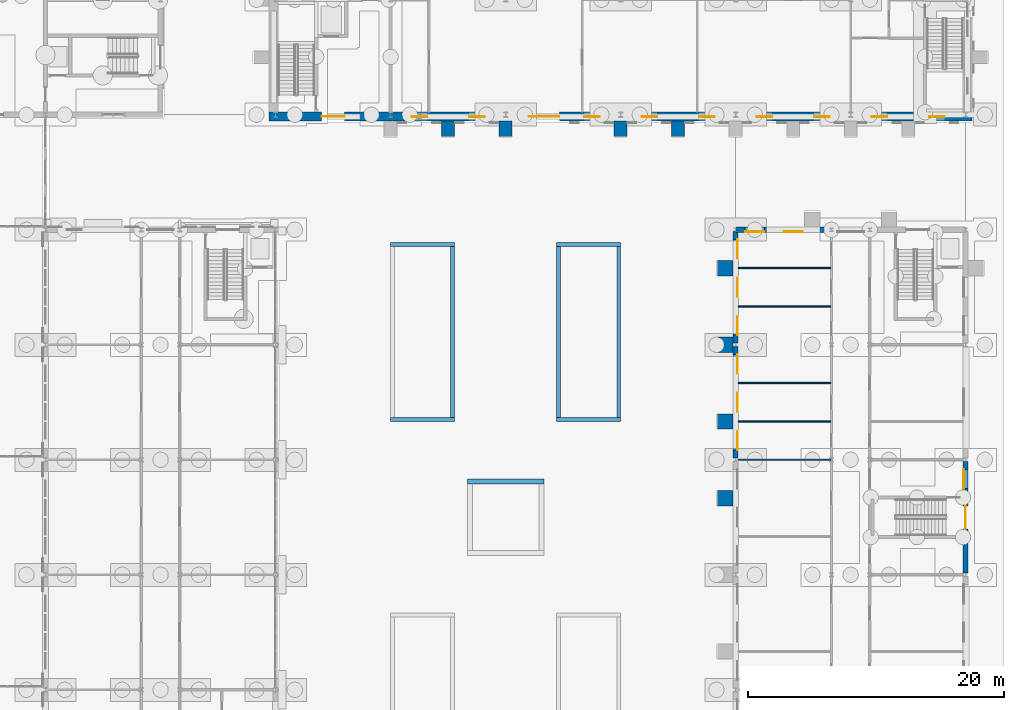
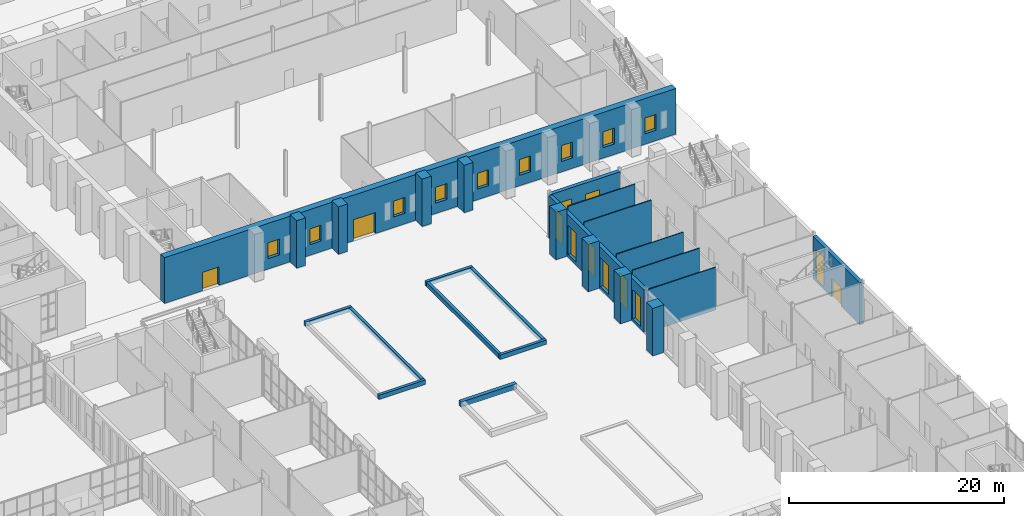
# One storey, part 104 of 168: 26 walls, 18 windows, 3 doors, 21 openings.
"""IFC4 building model written with IfcOpenShell, lengths in metres."""

from ifc_helpers import new_model, si_unit, direction, frame, frame_2d, origin, place, context, subcontext, project, spatial, rectangle, extrude, material, layer, layer_set, type_object, element, fill, save


model = new_model("IFC4")

# Units and contexts
model_context = context("Model", 3, precision=1e-05, world=origin(), true_north=direction((0.0, 1.0)))
body_context = subcontext(model_context, "Body", "Model", "MODEL_VIEW")
ifc_project = project(units=[si_unit("LENGTHUNIT", "METRE"), si_unit("AREAUNIT", "SQUARE_METRE"), si_unit("VOLUMEUNIT", "CUBIC_METRE"), si_unit("PLANEANGLEUNIT", "RADIAN"), si_unit("MASSUNIT", "GRAM", prefix="KILO")], contexts=[model_context])

# Site, building, storey
site_placement = place(None, origin())
site = spatial("IfcSite", under=ifc_project, at=site_placement, CompositionType="ELEMENT")
building_placement = place(site_placement, origin())
building = spatial("IfcBuilding", under=site, at=building_placement, Name="Golden Quay Civic Hall", CompositionType="ELEMENT")
storey_placement = place(building_placement, origin())
storey = spatial("IfcBuildingStorey", under=building, at=storey_placement, Name="L00", CompositionType="ELEMENT", Elevation=0.0)

# Wall, openings, windows
ifc_material_1 = material(Name="Brick, dark clay facing", Category="masonry")
ifc_layer_1 = layer(ifc_material_1, 0.39990234375)
ifc_layer_set_1 = layer_set([ifc_layer_1], Name="Brick external wall 400")
wall_type_1 = type_object("IfcWallType", Name="Brick external wall 400", PredefinedType="STANDARD", material=ifc_layer_set_1)
wall_1_placement = place(storey_placement, frame((153.0, 36.135009765625, 0.0), z_axis=(0.0, 0.0, 1.0), x_axis=(0.0, 1.0, 0.0)))
wall_1 = element("IfcWall", 1, at=wall_1_placement, inside=storey, type_object=wall_type_1, Name="Brick external wall 400 L00 16", PredefinedType="STANDARD", context=body_context, shape_type="SweptSolid", body=[
    extrude(rectangle(XDim=8.72998046875, YDim=0.39990234375, at=frame_2d((4.364990234375, 0.0))), origin(), (0.0, 0.0, 1.0), 4.800048828125),
])
opening_1_placement = place(wall_1_placement, frame((0.614990234375, 0.0, 0.300048828125)))
opening_1 = element("IfcOpeningElement", 2, at=opening_1_placement, cuts=wall_1, Name="Opening WN4", PredefinedType="OPENING", context=body_context, shape_type="SweptSolid", body=[
    extrude(rectangle(XDim=1.5, YDim=3.300048828125, at=frame_2d((0.75, 1.64990234375))), frame((0.0, 0.2099609375, 0.0), z_axis=(0.0, -1.0, 0.0), x_axis=(1.0, 0.0, 0.0)), (0.0, 0.0, 1.0), 0.419921875),
])
opening_2_placement = place(wall_1_placement, frame((3.614990234375, 0.0, 0.300048828125)))
opening_2 = element("IfcOpeningElement", 3, at=opening_2_placement, cuts=wall_1, Name="Opening WN4", PredefinedType="OPENING", context=body_context, shape_type="SweptSolid", body=[
    extrude(rectangle(XDim=1.5, YDim=3.300048828125, at=frame_2d((0.75, 1.64990234375))), frame((0.0, 0.2099609375, 0.0), z_axis=(0.0, -1.0, 0.0), x_axis=(1.0, 0.0, 0.0)), (0.0, 0.0, 1.0), 0.419921875),
])
opening_3_placement = place(wall_1_placement, frame((6.614990234375, 0.0, 0.300048828125)))
opening_3 = element("IfcOpeningElement", 4, at=opening_3_placement, cuts=wall_1, Name="Opening WN4", PredefinedType="OPENING", context=body_context, shape_type="SweptSolid", body=[
    extrude(rectangle(XDim=1.5, YDim=3.300048828125, at=frame_2d((0.75, 1.64990234375))), frame((0.0, 0.2099609375, 0.0), z_axis=(0.0, -1.0, 0.0), x_axis=(1.0, 0.0, 0.0)), (0.0, 0.0, 1.0), 0.419921875),
])
ifc_material_2 = material(Name="Aluminium frame, double glazed", Category="aluminium")
window_type_1 = type_object("IfcWindowType", Name="Tall ground-floor window 1500 x 3300", PartitioningType="SINGLE_PANEL", PredefinedType="WINDOW", material=ifc_material_2)
window_1_placement = place(opening_1_placement, origin())
window_1 = element("IfcWindow", 5, at=window_1_placement, inside=storey, type_object=window_type_1, Name="Tall ground-floor window 1500 x 3300 L00 34", OverallHeight=3.300048828125, OverallWidth=1.5, PartitioningType="SINGLE_PANEL", PredefinedType="WINDOW", context=body_context, shape_type="SweptSolid", body=[
    extrude(rectangle(XDim=1.5, YDim=3.300048828125, at=frame_2d((0.75, 1.64990234375))), frame((0.0, -0.119873046875, 0.0), z_axis=(0.0, -1.0, 0.0), x_axis=(1.0, 0.0, 0.0)), (0.0, 0.0, 1.0), 0.06005859375),
])
fill(opening_1, window_1)
window_2_placement = place(opening_2_placement, origin())
window_2 = element("IfcWindow", 6, at=window_2_placement, inside=storey, type_object=window_type_1, Name="Tall ground-floor window 1500 x 3300 L00 35", OverallHeight=3.300048828125, OverallWidth=1.5, PartitioningType="SINGLE_PANEL", PredefinedType="WINDOW", context=body_context, shape_type="SweptSolid", body=[
    extrude(rectangle(XDim=1.5, YDim=3.300048828125, at=frame_2d((0.75, 1.64990234375))), frame((0.0, -0.119873046875, 0.0), z_axis=(0.0, -1.0, 0.0), x_axis=(1.0, 0.0, 0.0)), (0.0, 0.0, 1.0), 0.06005859375),
])
fill(opening_2, window_2)
window_3_placement = place(opening_3_placement, origin())
window_3 = element("IfcWindow", 7, at=window_3_placement, inside=storey, type_object=window_type_1, Name="Tall ground-floor window 1500 x 3300 L00 36", OverallHeight=3.300048828125, OverallWidth=1.5, PartitioningType="SINGLE_PANEL", PredefinedType="WINDOW", context=body_context, shape_type="SweptSolid", body=[
    extrude(rectangle(XDim=1.5, YDim=3.300048828125, at=frame_2d((0.75, 1.64990234375))), frame((0.0, -0.119873046875, 0.0), z_axis=(0.0, -1.0, 0.0), x_axis=(1.0, 0.0, 0.0)), (0.0, 0.0, 1.0), 0.06005859375),
])
fill(opening_3, window_3)

wall_2_placement = place(storey_placement, frame((153.0, 45.135009765625, 0.0), z_axis=(0.0, 0.0, 1.0), x_axis=(0.0, 1.0, 0.0)))
wall_2 = element("IfcWall", 8, at=wall_2_placement, inside=storey, type_object=wall_type_1, Name="Brick external wall 400 L00 17", PredefinedType="STANDARD", context=body_context, shape_type="SweptSolid", body=[
    extrude(rectangle(XDim=8.72998046875, YDim=0.39990234375, at=frame_2d((4.364990234375, 0.0))), origin(), (0.0, 0.0, 1.0), 4.800048828125),
])
opening_4_placement = place(wall_2_placement, frame((0.614990234375, 0.0, 0.300048828125)))
opening_4 = element("IfcOpeningElement", 9, at=opening_4_placement, cuts=wall_2, Name="Opening WN4", PredefinedType="OPENING", context=body_context, shape_type="SweptSolid", body=[
    extrude(rectangle(XDim=1.5, YDim=3.300048828125, at=frame_2d((0.75, 1.64990234375))), frame((0.0, 0.2099609375, 0.0), z_axis=(0.0, -1.0, 0.0), x_axis=(1.0, 0.0, 0.0)), (0.0, 0.0, 1.0), 0.419921875),
])
opening_5_placement = place(wall_2_placement, frame((3.614990234375, 0.0, 0.300048828125)))
opening_5 = element("IfcOpeningElement", 10, at=opening_5_placement, cuts=wall_2, Name="Opening WN4", PredefinedType="OPENING", context=body_context, shape_type="SweptSolid", body=[
    extrude(rectangle(XDim=1.5, YDim=3.300048828125, at=frame_2d((0.75, 1.64990234375))), frame((0.0, 0.2099609375, 0.0), z_axis=(0.0, -1.0, 0.0), x_axis=(1.0, 0.0, 0.0)), (0.0, 0.0, 1.0), 0.419921875),
])
opening_6_placement = place(wall_2_placement, frame((6.614990234375, 0.0, 0.300048828125)))
opening_6 = element("IfcOpeningElement", 11, at=opening_6_placement, cuts=wall_2, Name="Opening WN4", PredefinedType="OPENING", context=body_context, shape_type="SweptSolid", body=[
    extrude(rectangle(XDim=1.5, YDim=3.300048828125, at=frame_2d((0.75, 1.64990234375))), frame((0.0, 0.2099609375, 0.0), z_axis=(0.0, -1.0, 0.0), x_axis=(1.0, 0.0, 0.0)), (0.0, 0.0, 1.0), 0.419921875),
])
window_4_placement = place(opening_4_placement, origin())
window_4 = element("IfcWindow", 12, at=window_4_placement, inside=storey, type_object=window_type_1, Name="Tall ground-floor window 1500 x 3300 L00 37", OverallHeight=3.300048828125, OverallWidth=1.5, PartitioningType="SINGLE_PANEL", PredefinedType="WINDOW", context=body_context, shape_type="SweptSolid", body=[
    extrude(rectangle(XDim=1.5, YDim=3.300048828125, at=frame_2d((0.75, 1.64990234375))), frame((0.0, -0.119873046875, 0.0), z_axis=(0.0, -1.0, 0.0), x_axis=(1.0, 0.0, 0.0)), (0.0, 0.0, 1.0), 0.06005859375),
])
fill(opening_4, window_4)
window_5_placement = place(opening_5_placement, origin())
window_5 = element("IfcWindow", 13, at=window_5_placement, inside=storey, type_object=window_type_1, Name="Tall ground-floor window 1500 x 3300 L00 38", OverallHeight=3.300048828125, OverallWidth=1.5, PartitioningType="SINGLE_PANEL", PredefinedType="WINDOW", context=body_context, shape_type="SweptSolid", body=[
    extrude(rectangle(XDim=1.5, YDim=3.300048828125, at=frame_2d((0.75, 1.64990234375))), frame((0.0, -0.119873046875, 0.0), z_axis=(0.0, -1.0, 0.0), x_axis=(1.0, 0.0, 0.0)), (0.0, 0.0, 1.0), 0.06005859375),
])
fill(opening_5, window_5)
window_6_placement = place(opening_6_placement, origin())
window_6 = element("IfcWindow", 14, at=window_6_placement, inside=storey, type_object=window_type_1, Name="Tall ground-floor window 1500 x 3300 L00 39", OverallHeight=3.300048828125, OverallWidth=1.5, PartitioningType="SINGLE_PANEL", PredefinedType="WINDOW", context=body_context, shape_type="SweptSolid", body=[
    extrude(rectangle(XDim=1.5, YDim=3.300048828125, at=frame_2d((0.75, 1.64990234375))), frame((0.0, -0.119873046875, 0.0), z_axis=(0.0, -1.0, 0.0), x_axis=(1.0, 0.0, 0.0)), (0.0, 0.0, 1.0), 0.06005859375),
])
fill(opening_6, window_6)

wall_3_placement = place(storey_placement, frame((153.009033203125, 54.0, 0.0), z_axis=(0.0, 0.0, 1.0), x_axis=(1.0, 0.0, 0.0)))
wall_3 = element("IfcWall", 15, at=wall_3_placement, inside=storey, type_object=wall_type_1, Name="Brick external wall 400 L00 18", PredefinedType="STANDARD", context=body_context, shape_type="SweptSolid", body=[
    extrude(rectangle(XDim=7.48193359375, YDim=0.39990234375, at=frame_2d((3.740966796875, 0.0))), origin(), (0.0, 0.0, 1.0), 4.8701171875),
])
opening_7_placement = place(wall_3_placement, frame((0.740966796875, 0.0, 0.300048828125)))
opening_7 = element("IfcOpeningElement", 16, at=opening_7_placement, cuts=wall_3, Name="Opening WN4", PredefinedType="OPENING", context=body_context, shape_type="SweptSolid", body=[
    extrude(rectangle(XDim=1.5, YDim=3.300048828125, at=frame_2d((0.75, 1.64990234375))), frame((0.0, 0.2099609375, 0.0), z_axis=(0.0, -1.0, 0.0), x_axis=(1.0, 0.0, 0.0)), (0.0, 0.0, 1.0), 0.419921875),
])
opening_8_placement = place(wall_3_placement, frame((3.740966796875, 0.0, 0.300048828125)))
opening_8 = element("IfcOpeningElement", 17, at=opening_8_placement, cuts=wall_3, Name="Opening WN4", PredefinedType="OPENING", context=body_context, shape_type="SweptSolid", body=[
    extrude(rectangle(XDim=1.5, YDim=3.300048828125, at=frame_2d((0.75, 1.64990234375))), frame((0.0, 0.2099609375, 0.0), z_axis=(0.0, -1.0, 0.0), x_axis=(1.0, 0.0, 0.0)), (0.0, 0.0, 1.0), 0.419921875),
])
window_7_placement = place(opening_7_placement, origin())
window_7 = element("IfcWindow", 18, at=window_7_placement, inside=storey, type_object=window_type_1, Name="Tall ground-floor window 1500 x 3300 L00 40", OverallHeight=3.300048828125, OverallWidth=1.5, PartitioningType="SINGLE_PANEL", PredefinedType="WINDOW", context=body_context, shape_type="SweptSolid", body=[
    extrude(rectangle(XDim=1.5, YDim=3.300048828125, at=frame_2d((0.75, 1.64990234375))), frame((0.0, -0.119873046875, 0.0), z_axis=(0.0, -1.0, 0.0), x_axis=(1.0, 0.0, 0.0)), (0.0, 0.0, 1.0), 0.06005859375),
])
fill(opening_7, window_7)
window_8_placement = place(opening_8_placement, origin())
window_8 = element("IfcWindow", 19, at=window_8_placement, inside=storey, type_object=window_type_1, Name="Tall ground-floor window 1500 x 3300 L00 41", OverallHeight=3.300048828125, OverallWidth=1.5, PartitioningType="SINGLE_PANEL", PredefinedType="WINDOW", context=body_context, shape_type="SweptSolid", body=[
    extrude(rectangle(XDim=1.5, YDim=3.300048828125, at=frame_2d((0.75, 1.64990234375))), frame((0.0, -0.119873046875, 0.0), z_axis=(0.0, -1.0, 0.0), x_axis=(1.0, 0.0, 0.0)), (0.0, 0.0, 1.0), 0.06005859375),
])
fill(opening_8, window_8)

# Wall, openings, door, window
ifc_material_3 = material(Name="Brick, dark clay facing", Category="masonry")
ifc_layer_2 = layer(ifc_material_3, 0.39990234375)
ifc_layer_set_2 = layer_set([ifc_layer_2], Name="Brick external wall 400 fire EI 60")
wall_type_2 = type_object("IfcWallType", Name="Brick external wall 400 fire EI 60", PredefinedType="STANDARD", material=ifc_layer_set_2)
wall_4_placement = place(storey_placement, frame((171.0, 35.864990234375, 0.0), z_axis=(0.0, 0.0, 1.0), x_axis=(0.0, -1.0, 0.0)))
wall_4 = element("IfcWall", 20, at=wall_4_placement, inside=storey, type_object=wall_type_2, Name="Brick external wall 400 fire EI 60 L00 3", PredefinedType="STANDARD", context=body_context, shape_type="SweptSolid", body=[
    extrude(rectangle(XDim=8.72998046875, YDim=0.39990234375, at=frame_2d((4.364990234375, 0.0))), origin(), (0.0, 0.0, 1.0), 4.800048828125),
])
opening_9_placement = place(wall_4_placement, frame((3.465087890625, 0.0, 0.0)))
opening_9 = element("IfcOpeningElement", 21, at=opening_9_placement, cuts=wall_4, Name="Opening L00-D014", PredefinedType="OPENING", context=body_context, shape_type="SweptSolid", body=[
    extrude(rectangle(XDim=1.800048828125, YDim=2.10009765625, at=frame_2d((0.89990234375, 1.050048828125))), frame((0.0, 0.2099609375, 0.0), z_axis=(0.0, -1.0, 0.0), x_axis=(1.0, 0.0, 0.0)), (0.0, 0.0, 1.0), 0.419921875),
])
opening_10_placement = place(wall_4_placement, frame((0.614990234375, 0.0, 0.300048828125)))
opening_10 = element("IfcOpeningElement", 22, at=opening_10_placement, cuts=wall_4, Name="Opening WN4", PredefinedType="OPENING", context=body_context, shape_type="SweptSolid", body=[
    extrude(rectangle(XDim=1.5, YDim=3.300048828125, at=frame_2d((0.75, 1.64990234375))), frame((0.0, 0.2099609375, 0.0), z_axis=(0.0, -1.0, 0.0), x_axis=(1.0, 0.0, 0.0)), (0.0, 0.0, 1.0), 0.419921875),
])
ifc_material_4 = material(Name="Steel", Category="steel")
door_type_1 = type_object("IfcDoorType", Name="Steel double exit door FD60 1800 x 2100", OperationType="DOUBLE_DOOR_SINGLE_SWING", PredefinedType="DOOR", material=ifc_material_4)
door_1_placement = place(opening_9_placement, origin())
door_1 = element("IfcDoor", 23, at=door_1_placement, inside=storey, type_object=door_type_1, Name="Door L00-D014", OperationType="DOUBLE_DOOR_SINGLE_SWING", OverallHeight=2.10009765625, OverallWidth=1.800048828125, PredefinedType="DOOR", context=body_context, shape_type="SweptSolid", body=[
    extrude(rectangle(XDim=1.800048828125, YDim=2.10009765625, at=frame_2d((0.89990234375, 1.050048828125))), frame((0.0, 0.02490234375, 0.0), z_axis=(0.0, -1.0, 0.0), x_axis=(1.0, 0.0, 0.0)), (0.0, 0.0, 1.0), 0.050048828125),
])
fill(opening_9, door_1)
window_9_placement = place(opening_10_placement, origin())
window_9 = element("IfcWindow", 24, at=window_9_placement, inside=storey, type_object=window_type_1, Name="Tall ground-floor window 1500 x 3300 L00 48", OverallHeight=3.300048828125, OverallWidth=1.5, PartitioningType="SINGLE_PANEL", PredefinedType="WINDOW", context=body_context, shape_type="SweptSolid", body=[
    extrude(rectangle(XDim=1.5, YDim=3.300048828125, at=frame_2d((0.75, 1.64990234375))), frame((0.0, -0.119873046875, 0.0), z_axis=(0.0, -1.0, 0.0), x_axis=(1.0, 0.0, 0.0)), (0.0, 0.0, 1.0), 0.06005859375),
])
fill(opening_10, window_9)

# Walls
ifc_material_5 = material(Name="Brick, dark clay facing", Category="masonry")
ifc_layer_3 = layer(ifc_material_5, 1.199951171875)
ifc_layer_set_3 = layer_set([ifc_layer_3], Name="Brick pilaster 1200 x 1200")
wall_type_3 = type_object("IfcWallType", Name="Brick pilaster 1200 x 1200", PredefinedType="STANDARD", material=ifc_layer_set_3)
for number, where, z_axis, x_axis, name in (
    (25, (152.199951171875, 32.39990234375, 0.0), (0.0, 0.0, 1.0), (0.0, 1.0, 0.0), "Brick pilaster 1200 x 1200 L00 14"),
    (26, (152.199951171875, 38.39990234375, 0.0), (0.0, 0.0, 1.0), (0.0, 1.0, 0.0), "Brick pilaster 1200 x 1200 L00 15"),
    (27, (152.199951171875, 44.39990234375, 0.0), (0.0, 0.0, 1.0), (0.0, 1.0, 0.0), "Brick pilaster 1200 x 1200 L00 16"),
    (28, (152.199951171875, 50.39990234375, 0.0), (0.0, 0.0, 1.0), (0.0, 1.0, 0.0), "Brick pilaster 1200 x 1200 L00 17"),
):
    element("IfcWall", number, at=place(storey_placement, frame(where, z_axis=z_axis, x_axis=x_axis)), inside=storey, type_object=wall_type_3, Name=name, PredefinedType="STANDARD", context=body_context, shape_type="SweptSolid", body=[
        extrude(rectangle(XDim=1.2001953125, YDim=1.199951171875, at=frame_2d((0.60009765625, 0.0))), origin(), (0.0, 0.0, 1.0), 5.39990234375),
    ])
ifc_material_6 = material(Name="Brick, dark clay facing", Category="masonry")
ifc_layer_4 = layer(ifc_material_6, 0.300048828125)
ifc_layer_set_4 = layer_set([ifc_layer_4], Name="Brick planter wall 300")
wall_type_4 = type_object("IfcWallType", Name="Brick planter wall 300", PredefinedType="STANDARD", material=ifc_layer_set_4)
for number, where, z_axis, x_axis, name in (
    (29, (126.0, 39.14990234375, 0.0), (0.0, 0.0, 1.0), (1.0, 0.0, 0.0), "Court planter East Court 2"),
    (30, (126.0, 52.85009765625, 0.0), (0.0, 0.0, 1.0), (1.0, 0.0, 0.0), "Court planter East Court 2"),
):
    element("IfcWall", number, at=place(storey_placement, frame(where, z_axis=z_axis, x_axis=x_axis)), inside=storey, type_object=wall_type_4, Name=name, PredefinedType="STANDARD", context=body_context, shape_type="SweptSolid", body=[
        extrude(rectangle(XDim=5.0, YDim=0.300048828125, at=frame_2d((2.5, 0.0))), origin(), (0.0, 0.0, 1.0), 0.5),
    ])
wall_5_placement = place(storey_placement, frame((130.85009765625, 39.300048828125, 0.0), z_axis=(0.0, 0.0, 1.0), x_axis=(0.0, 1.0, 0.0)))
element("IfcWall", 31, at=wall_5_placement, inside=storey, type_object=wall_type_4, Name="Court planter East Court 2", PredefinedType="STANDARD", context=body_context, shape_type="SweptSolid", body=[
    extrude(rectangle(XDim=13.39990234375, YDim=0.300048828125, at=frame_2d((6.699951171875, 0.0))), origin(), (0.0, 0.0, 1.0), 0.5),
])
for number, where, z_axis, x_axis, name in (
    (32, (139.0, 39.14990234375, 0.0), (0.0, 0.0, 1.0), (1.0, 0.0, 0.0), "Court planter East Court 4"),
    (33, (139.0, 52.85009765625, 0.0), (0.0, 0.0, 1.0), (1.0, 0.0, 0.0), "Court planter East Court 4"),
):
    element("IfcWall", number, at=place(storey_placement, frame(where, z_axis=z_axis, x_axis=x_axis)), inside=storey, type_object=wall_type_4, Name=name, PredefinedType="STANDARD", context=body_context, shape_type="SweptSolid", body=[
        extrude(rectangle(XDim=5.0, YDim=0.300048828125, at=frame_2d((2.5, 0.0))), origin(), (0.0, 0.0, 1.0), 0.5),
    ])
for number, where, z_axis, x_axis, name in (
    (34, (139.14990234375, 39.300048828125, 0.0), (0.0, 0.0, 1.0), (0.0, 1.0, 0.0), "Court planter East Court 4"),
    (35, (143.85009765625, 39.300048828125, 0.0), (0.0, 0.0, 1.0), (0.0, 1.0, 0.0), "Court planter East Court 4"),
):
    element("IfcWall", number, at=place(storey_placement, frame(where, z_axis=z_axis, x_axis=x_axis)), inside=storey, type_object=wall_type_4, Name=name, PredefinedType="STANDARD", context=body_context, shape_type="SweptSolid", body=[
        extrude(rectangle(XDim=13.39990234375, YDim=0.300048828125, at=frame_2d((6.699951171875, 0.0))), origin(), (0.0, 0.0, 1.0), 0.5),
    ])
ifc_material_7 = material(Name="Plasterboard on steel studs", Category="steel")
ifc_layer_5 = layer(ifc_material_7, 0.10009765625)
ifc_layer_set_5 = layer_set([ifc_layer_5], Name="Partition 100 stud")
wall_type_5 = type_object("IfcWallType", Name="Partition 100 stud", PredefinedType="PARTITIONING", material=ifc_layer_set_5)
wall_6_placement = place(storey_placement, frame((153.199951171875, 36.0, 0.0), z_axis=(0.0, 0.0, 1.0), x_axis=(1.0, 0.0, 0.0)))
element("IfcWall", 36, at=wall_6_placement, inside=storey, type_object=wall_type_5, Name="Partition L00-014", PredefinedType="PARTITIONING", context=body_context, shape_type="SweptSolid", body=[
    extrude(rectangle(XDim=7.22509765625, YDim=0.10009765625, at=frame_2d((3.612548828125, 0.0))), origin(), (0.0, 0.0, 1.0), 4.85009765625),
])
for number, where, z_axis, x_axis, name in (
    (37, (153.199951171875, 39.0, 0.0), (0.0, 0.0, 1.0), (1.0, 0.0, 0.0), "Partition L00-015"),
    (38, (153.199951171875, 42.0, 0.0), (0.0, 0.0, 1.0), (1.0, 0.0, 0.0), "Partition L00-016"),
    (39, (153.199951171875, 48.0, 0.0), (0.0, 0.0, 1.0), (1.0, 0.0, 0.0), "Partition L00-017"),
    (40, (153.199951171875, 51.0, 0.0), (0.0, 0.0, 1.0), (1.0, 0.0, 0.0), "Partition L00-018"),
):
    element("IfcWall", number, at=place(storey_placement, frame(where, z_axis=z_axis, x_axis=x_axis)), inside=storey, type_object=wall_type_5, Name=name, PredefinedType="PARTITIONING", context=body_context, shape_type="SweptSolid", body=[
        extrude(rectangle(XDim=7.22509765625, YDim=0.10009765625, at=frame_2d((3.612548828125, 0.0))), origin(), (0.0, 0.0, 1.0), 5.199951171875),
    ])
ifc_material_8 = material(Name="Limestone, rusticated facing", Category="masonry")
ifc_layer_6 = layer(ifc_material_8, 1.199951171875)
ifc_layer_set_6 = layer_set([ifc_layer_6], Name="Stone base pier 1000 x 1200")
wall_type_6 = type_object("IfcWallType", Name="Stone base pier 1000 x 1200", PredefinedType="STANDARD", material=ifc_layer_set_6)
for number, where, z_axis, x_axis, name in (
    (41, (130.0, 61.89990234375, 0.0), (0.0, 0.0, 1.0), (1.0, 0.0, 0.0), "Stone base pier 1000 x 1200 L00 2"),
    (42, (134.5, 61.89990234375, 0.0), (0.0, 0.0, 1.0), (1.0, 0.0, 0.0), "Stone base pier 1000 x 1200 L00 3"),
    (43, (143.5, 61.89990234375, 0.0), (0.0, 0.0, 1.0), (1.0, 0.0, 0.0), "Stone base pier 1000 x 1200 L00 4"),
    (44, (148.0, 61.89990234375, 0.0), (0.0, 0.0, 1.0), (1.0, 0.0, 0.0), "Stone base pier 1000 x 1200 L00 5"),
):
    element("IfcWall", number, at=place(storey_placement, frame(where, z_axis=z_axis, x_axis=x_axis)), inside=storey, type_object=wall_type_6, Name=name, PredefinedType="STANDARD", context=body_context, shape_type="SweptSolid", body=[
        extrude(rectangle(XDim=1.0, YDim=1.199951171875, at=frame_2d((0.5, 0.0))), origin(), (0.0, 0.0, 1.0), 5.39990234375),
    ])
ifc_material_9 = material(Name="Granite", Category="masonry")
ifc_layer_7 = layer(ifc_material_9, 0.39990234375)
ifc_layer_set_7 = layer_set([ifc_layer_7], Name="Stone basin and seat wall 400")
wall_type_7 = type_object("IfcWallType", Name="Stone basin and seat wall 400", PredefinedType="STANDARD", material=ifc_layer_set_7)
wall_7_placement = place(storey_placement, frame((132.0, 34.300048828125, 0.0), z_axis=(0.0, 0.0, 1.0), x_axis=(1.0, 0.0, 0.0)))
element("IfcWall", 45, at=wall_7_placement, inside=storey, type_object=wall_type_7, Name="Fountain basin East Court", PredefinedType="STANDARD", context=body_context, shape_type="SweptSolid", body=[
    extrude(rectangle(XDim=6.0, YDim=0.39990234375, at=frame_2d((3.0, 0.0))), origin(), (0.0, 0.0, 1.0), 0.60009765625),
])

# Wall, openings, doors, windows
ifc_material_10 = material(Name="Limestone, rusticated facing", Category="masonry")
ifc_layer_8 = layer(ifc_material_10, 0.699951171875)
ifc_layer_set_8 = layer_set([ifc_layer_8], Name="Stone external wall 700")
wall_type_8 = type_object("IfcWallType", Name="Stone external wall 700", PredefinedType="STANDARD", material=ifc_layer_set_8)
wall_8_placement = place(storey_placement, frame((116.5, 62.85009765625, 0.0), z_axis=(0.0, 0.0, 1.0), x_axis=(1.0, 0.0, 0.0)))
wall_8 = element("IfcWall", 46, at=wall_8_placement, inside=storey, type_object=wall_type_8, Name="L00 external wall S", PredefinedType="STANDARD", context=body_context, shape_type="SweptSolid", body=[
    extrude(rectangle(XDim=55.0, YDim=0.699951171875, at=frame_2d((27.5, 0.0))), origin(), (0.0, 0.0, 1.0), 5.199951171875),
])
opening_11_placement = place(wall_8_placement, frame((11.14990234375, 0.0, 1.199951171875)))
opening_11 = element("IfcOpeningElement", 47, at=opening_11_placement, cuts=wall_8, Name="Opening WN18", PredefinedType="OPENING", context=body_context, shape_type="SweptSolid", body=[
    extrude(rectangle(XDim=1.199951171875, YDim=1.800048828125, at=frame_2d((0.60009765625, 0.89990234375))), frame((0.0, 0.35986328125, 0.0), z_axis=(0.0, -1.0, 0.0), x_axis=(1.0, 0.0, 0.0)), (0.0, 0.0, 1.0), 0.719970703125),
])
opening_12_placement = place(wall_8_placement, frame((15.64990234375, 0.0, 1.199951171875)))
opening_12 = element("IfcOpeningElement", 48, at=opening_12_placement, cuts=wall_8, Name="Opening WN18", PredefinedType="OPENING", context=body_context, shape_type="SweptSolid", body=[
    extrude(rectangle(XDim=1.199951171875, YDim=1.800048828125, at=frame_2d((0.60009765625, 0.89990234375))), frame((0.0, 0.35986328125, 0.0), z_axis=(0.0, -1.0, 0.0), x_axis=(1.0, 0.0, 0.0)), (0.0, 0.0, 1.0), 0.719970703125),
])
opening_13_placement = place(wall_8_placement, frame((24.64990234375, 0.0, 1.199951171875)))
opening_13 = element("IfcOpeningElement", 49, at=opening_13_placement, cuts=wall_8, Name="Opening WN18", PredefinedType="OPENING", context=body_context, shape_type="SweptSolid", body=[
    extrude(rectangle(XDim=1.199951171875, YDim=1.800048828125, at=frame_2d((0.60009765625, 0.89990234375))), frame((0.0, 0.35986328125, 0.0), z_axis=(0.0, -1.0, 0.0), x_axis=(1.0, 0.0, 0.0)), (0.0, 0.0, 1.0), 0.719970703125),
])
opening_14_placement = place(wall_8_placement, frame((29.14990234375, 0.0, 1.199951171875)))
opening_14 = element("IfcOpeningElement", 50, at=opening_14_placement, cuts=wall_8, Name="Opening WN18", PredefinedType="OPENING", context=body_context, shape_type="SweptSolid", body=[
    extrude(rectangle(XDim=1.199951171875, YDim=1.800048828125, at=frame_2d((0.60009765625, 0.89990234375))), frame((0.0, 0.35986328125, 0.0), z_axis=(0.0, -1.0, 0.0), x_axis=(1.0, 0.0, 0.0)), (0.0, 0.0, 1.0), 0.719970703125),
])
opening_15_placement = place(wall_8_placement, frame((33.64990234375, 0.0, 1.199951171875)))
opening_15 = element("IfcOpeningElement", 51, at=opening_15_placement, cuts=wall_8, Name="Opening WN18", PredefinedType="OPENING", context=body_context, shape_type="SweptSolid", body=[
    extrude(rectangle(XDim=1.199951171875, YDim=1.800048828125, at=frame_2d((0.60009765625, 0.89990234375))), frame((0.0, 0.35986328125, 0.0), z_axis=(0.0, -1.0, 0.0), x_axis=(1.0, 0.0, 0.0)), (0.0, 0.0, 1.0), 0.719970703125),
])
opening_16_placement = place(wall_8_placement, frame((38.14990234375, 0.0, 1.199951171875)))
opening_16 = element("IfcOpeningElement", 52, at=opening_16_placement, cuts=wall_8, Name="Opening WN18", PredefinedType="OPENING", context=body_context, shape_type="SweptSolid", body=[
    extrude(rectangle(XDim=1.199951171875, YDim=1.800048828125, at=frame_2d((0.60009765625, 0.89990234375))), frame((0.0, 0.35986328125, 0.0), z_axis=(0.0, -1.0, 0.0), x_axis=(1.0, 0.0, 0.0)), (0.0, 0.0, 1.0), 0.719970703125),
])
opening_17_placement = place(wall_8_placement, frame((42.64990234375, 0.0, 1.199951171875)))
opening_17 = element("IfcOpeningElement", 53, at=opening_17_placement, cuts=wall_8, Name="Opening WN18", PredefinedType="OPENING", context=body_context, shape_type="SweptSolid", body=[
    extrude(rectangle(XDim=1.199951171875, YDim=1.800048828125, at=frame_2d((0.60009765625, 0.89990234375))), frame((0.0, 0.35986328125, 0.0), z_axis=(0.0, -1.0, 0.0), x_axis=(1.0, 0.0, 0.0)), (0.0, 0.0, 1.0), 0.719970703125),
])
opening_18_placement = place(wall_8_placement, frame((47.14990234375, 0.0, 1.199951171875)))
opening_18 = element("IfcOpeningElement", 54, at=opening_18_placement, cuts=wall_8, Name="Opening WN18", PredefinedType="OPENING", context=body_context, shape_type="SweptSolid", body=[
    extrude(rectangle(XDim=1.199951171875, YDim=1.800048828125, at=frame_2d((0.60009765625, 0.89990234375))), frame((0.0, 0.35986328125, 0.0), z_axis=(0.0, -1.0, 0.0), x_axis=(1.0, 0.0, 0.0)), (0.0, 0.0, 1.0), 0.719970703125),
])
opening_19_placement = place(wall_8_placement, frame((51.64990234375, 0.0, 1.199951171875)))
opening_19 = element("IfcOpeningElement", 55, at=opening_19_placement, cuts=wall_8, Name="Opening WN18", PredefinedType="OPENING", context=body_context, shape_type="SweptSolid", body=[
    extrude(rectangle(XDim=1.199951171875, YDim=1.800048828125, at=frame_2d((0.60009765625, 0.89990234375))), frame((0.0, 0.35986328125, 0.0), z_axis=(0.0, -1.0, 0.0), x_axis=(1.0, 0.0, 0.0)), (0.0, 0.0, 1.0), 0.719970703125),
])
opening_20_placement = place(wall_8_placement, frame((20.300048828125, 0.0, 0.0)))
opening_20 = element("IfcOpeningElement", 56, at=opening_20_placement, cuts=wall_8, Name="Opening L00-D043", PredefinedType="OPENING", context=body_context, shape_type="SweptSolid", body=[
    extrude(rectangle(XDim=2.39990234375, YDim=2.39990234375, at=frame_2d((1.199951171875, 1.199951171875))), frame((0.0, 0.35986328125, 0.0), z_axis=(0.0, -1.0, 0.0), x_axis=(1.0, 0.0, 0.0)), (0.0, 0.0, 1.0), 0.719970703125),
])
opening_21_placement = place(wall_8_placement, frame((4.10009765625, 0.0, 0.0)))
opening_21 = element("IfcOpeningElement", 57, at=opening_21_placement, cuts=wall_8, Name="Opening L00-D044", PredefinedType="OPENING", context=body_context, shape_type="SweptSolid", body=[
    extrude(rectangle(XDim=1.800048828125, YDim=2.10009765625, at=frame_2d((0.89990234375, 1.050048828125))), frame((0.0, 0.35986328125, 0.0), z_axis=(0.0, -1.0, 0.0), x_axis=(1.0, 0.0, 0.0)), (0.0, 0.0, 1.0), 0.719970703125),
])
ifc_material_11 = material(Name="Aluminium and glass", Category="aluminium")
door_type_2 = type_object("IfcDoorType", Name="Glazed entrance door 2400 x 2400", OperationType="NOTDEFINED", PredefinedType="DOOR", material=ifc_material_11)
door_2_placement = place(opening_20_placement, frame((2.39990234375, 0.0, 0.0), z_axis=(0.0, 0.0, 1.0), x_axis=(-1.0, 0.0, 0.0)))
door_2 = element("IfcDoor", 58, at=door_2_placement, inside=storey, type_object=door_type_2, Name="Library entrance", OperationType="DOUBLE_DOOR_SINGLE_SWING", OverallHeight=2.39990234375, OverallWidth=2.39990234375, PredefinedType="DOOR", context=body_context, shape_type="SweptSolid", body=[
    extrude(rectangle(XDim=2.39990234375, YDim=2.39990234375, at=frame_2d((1.199951171875, 1.199951171875))), frame((0.0, 0.025146484375, 0.0), z_axis=(0.0, -1.0, 0.0), x_axis=(1.0, 0.0, 0.0)), (0.0, 0.0, 1.0), 0.050048828125),
])
fill(opening_20, door_2)
door_3_placement = place(opening_21_placement, frame((1.800048828125, 0.0, 0.0), z_axis=(0.0, 0.0, 1.0), x_axis=(-1.0, 0.0, 0.0)))
door_3 = element("IfcDoor", 59, at=door_3_placement, inside=storey, type_object=door_type_1, Name="Stair exit LB-W", OperationType="DOUBLE_DOOR_SINGLE_SWING", OverallHeight=2.10009765625, OverallWidth=1.800048828125, PredefinedType="DOOR", context=body_context, shape_type="SweptSolid", body=[
    extrude(rectangle(XDim=1.800048828125, YDim=2.10009765625, at=frame_2d((0.900146484375, 1.050048828125))), frame((0.0, 0.025146484375, 0.0), z_axis=(0.0, -1.0, 0.0), x_axis=(1.0, 0.0, 0.0)), (0.0, 0.0, 1.0), 0.050048828125),
])
fill(opening_21, door_3)
ifc_material_12 = material(Name="Timber", Category="wood")
window_type_2 = type_object("IfcWindowType", Name="Stone-framed timber window 1200 x 1800", PartitioningType="SINGLE_PANEL", PredefinedType="WINDOW", material=ifc_material_12)
window_10_placement = place(opening_11_placement, origin())
window_10 = element("IfcWindow", 60, at=window_10_placement, inside=storey, type_object=window_type_2, Name="L00 window S112", OverallHeight=1.800048828125, OverallWidth=1.199951171875, PartitioningType="SINGLE_PANEL", PredefinedType="WINDOW", context=body_context, shape_type="SweptSolid", body=[
    extrude(rectangle(XDim=1.199951171875, YDim=1.800048828125, at=frame_2d((0.60009765625, 0.89990234375))), frame((0.0, 0.030029296875, 0.0), z_axis=(0.0, -1.0, 0.0), x_axis=(1.0, 0.0, 0.0)), (0.0, 0.0, 1.0), 0.06005859375),
])
fill(opening_11, window_10)
window_11_placement = place(opening_12_placement, origin())
window_11 = element("IfcWindow", 61, at=window_11_placement, inside=storey, type_object=window_type_2, Name="L00 window S157", OverallHeight=1.800048828125, OverallWidth=1.199951171875, PartitioningType="SINGLE_PANEL", PredefinedType="WINDOW", context=body_context, shape_type="SweptSolid", body=[
    extrude(rectangle(XDim=1.199951171875, YDim=1.800048828125, at=frame_2d((0.60009765625, 0.89990234375))), frame((0.0, 0.030029296875, 0.0), z_axis=(0.0, -1.0, 0.0), x_axis=(1.0, 0.0, 0.0)), (0.0, 0.0, 1.0), 0.06005859375),
])
fill(opening_12, window_11)
window_12_placement = place(opening_13_placement, origin())
window_12 = element("IfcWindow", 62, at=window_12_placement, inside=storey, type_object=window_type_2, Name="L00 window S247", OverallHeight=1.800048828125, OverallWidth=1.199951171875, PartitioningType="SINGLE_PANEL", PredefinedType="WINDOW", context=body_context, shape_type="SweptSolid", body=[
    extrude(rectangle(XDim=1.199951171875, YDim=1.800048828125, at=frame_2d((0.60009765625, 0.89990234375))), frame((0.0, 0.030029296875, 0.0), z_axis=(0.0, -1.0, 0.0), x_axis=(1.0, 0.0, 0.0)), (0.0, 0.0, 1.0), 0.06005859375),
])
fill(opening_13, window_12)
window_13_placement = place(opening_14_placement, origin())
window_13 = element("IfcWindow", 63, at=window_13_placement, inside=storey, type_object=window_type_2, Name="L00 window S292", OverallHeight=1.800048828125, OverallWidth=1.199951171875, PartitioningType="SINGLE_PANEL", PredefinedType="WINDOW", context=body_context, shape_type="SweptSolid", body=[
    extrude(rectangle(XDim=1.199951171875, YDim=1.800048828125, at=frame_2d((0.60009765625, 0.89990234375))), frame((0.0, 0.030029296875, 0.0), z_axis=(0.0, -1.0, 0.0), x_axis=(1.0, 0.0, 0.0)), (0.0, 0.0, 1.0), 0.06005859375),
])
fill(opening_14, window_13)
window_14_placement = place(opening_15_placement, origin())
window_14 = element("IfcWindow", 64, at=window_14_placement, inside=storey, type_object=window_type_2, Name="L00 window S337", OverallHeight=1.800048828125, OverallWidth=1.199951171875, PartitioningType="SINGLE_PANEL", PredefinedType="WINDOW", context=body_context, shape_type="SweptSolid", body=[
    extrude(rectangle(XDim=1.199951171875, YDim=1.800048828125, at=frame_2d((0.60009765625, 0.89990234375))), frame((0.0, 0.030029296875, 0.0), z_axis=(0.0, -1.0, 0.0), x_axis=(1.0, 0.0, 0.0)), (0.0, 0.0, 1.0), 0.06005859375),
])
fill(opening_15, window_14)
window_15_placement = place(opening_16_placement, origin())
window_15 = element("IfcWindow", 65, at=window_15_placement, inside=storey, type_object=window_type_2, Name="L00 window S382", OverallHeight=1.800048828125, OverallWidth=1.199951171875, PartitioningType="SINGLE_PANEL", PredefinedType="WINDOW", context=body_context, shape_type="SweptSolid", body=[
    extrude(rectangle(XDim=1.199951171875, YDim=1.800048828125, at=frame_2d((0.60009765625, 0.89990234375))), frame((0.0, 0.030029296875, 0.0), z_axis=(0.0, -1.0, 0.0), x_axis=(1.0, 0.0, 0.0)), (0.0, 0.0, 1.0), 0.06005859375),
])
fill(opening_16, window_15)
window_16_placement = place(opening_17_placement, origin())
window_16 = element("IfcWindow", 66, at=window_16_placement, inside=storey, type_object=window_type_2, Name="L00 window S427", OverallHeight=1.800048828125, OverallWidth=1.199951171875, PartitioningType="SINGLE_PANEL", PredefinedType="WINDOW", context=body_context, shape_type="SweptSolid", body=[
    extrude(rectangle(XDim=1.199951171875, YDim=1.800048828125, at=frame_2d((0.60009765625, 0.89990234375))), frame((0.0, 0.030029296875, 0.0), z_axis=(0.0, -1.0, 0.0), x_axis=(1.0, 0.0, 0.0)), (0.0, 0.0, 1.0), 0.06005859375),
])
fill(opening_17, window_16)
window_17_placement = place(opening_18_placement, origin())
window_17 = element("IfcWindow", 67, at=window_17_placement, inside=storey, type_object=window_type_2, Name="L00 window S472", OverallHeight=1.800048828125, OverallWidth=1.199951171875, PartitioningType="SINGLE_PANEL", PredefinedType="WINDOW", context=body_context, shape_type="SweptSolid", body=[
    extrude(rectangle(XDim=1.199951171875, YDim=1.800048828125, at=frame_2d((0.60009765625, 0.89990234375))), frame((0.0, 0.030029296875, 0.0), z_axis=(0.0, -1.0, 0.0), x_axis=(1.0, 0.0, 0.0)), (0.0, 0.0, 1.0), 0.06005859375),
])
fill(opening_18, window_17)
window_18_placement = place(opening_19_placement, origin())
window_18 = element("IfcWindow", 68, at=window_18_placement, inside=storey, type_object=window_type_2, Name="L00 window S517", OverallHeight=1.800048828125, OverallWidth=1.199951171875, PartitioningType="SINGLE_PANEL", PredefinedType="WINDOW", context=body_context, shape_type="SweptSolid", body=[
    extrude(rectangle(XDim=1.199951171875, YDim=1.800048828125, at=frame_2d((0.60009765625, 0.89990234375))), frame((0.0, 0.030029296875, 0.0), z_axis=(0.0, -1.0, 0.0), x_axis=(1.0, 0.0, 0.0)), (0.0, 0.0, 1.0), 0.06005859375),
])
fill(opening_19, window_18)

save(model, "model.ifc")
